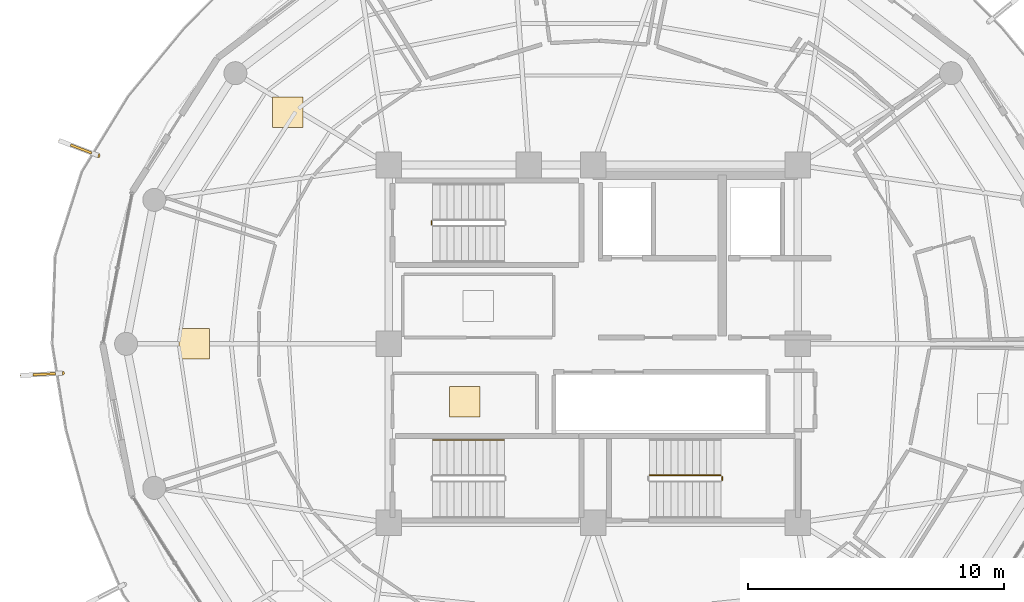
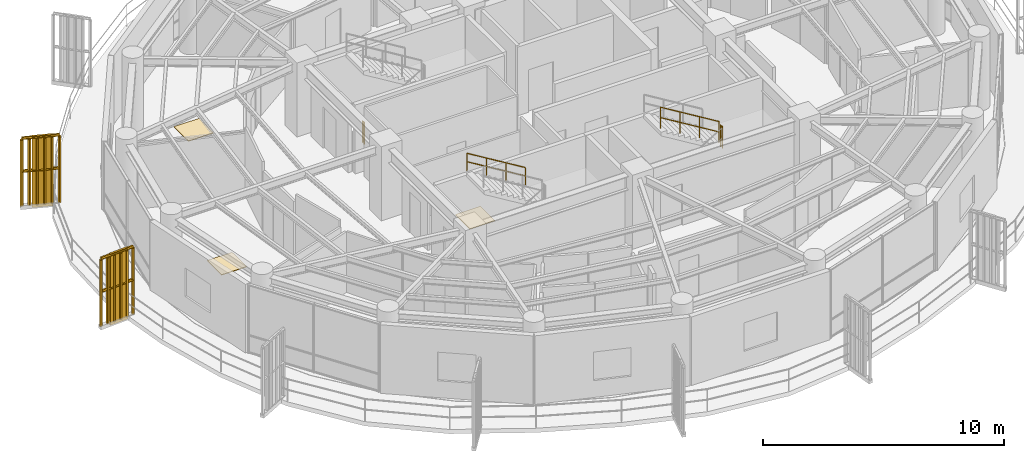
# One storey, part 21 of 23: 6 railings, 3 coverings, 2 shading devices.
"""IFC4 building model written with IfcOpenShell, lengths in metres."""

from ifc_helpers import new_model, si_unit, direction, frame, origin, origin_2d, place, context, subcontext, project, spatial, polyline, rectangle, outline, extrude, source, transform, mapped, material, layer, layer_set, type_object, element, save


model = new_model("IFC4")

# Units and contexts
model_context = context("Model", 3, precision=1e-05, world=origin(), true_north=direction((0.0, 1.0)))
body_context = subcontext(model_context, "Body", "Model", "MODEL_VIEW")
ifc_project = project(units=[si_unit("LENGTHUNIT", "METRE"), si_unit("AREAUNIT", "SQUARE_METRE"), si_unit("VOLUMEUNIT", "CUBIC_METRE"), si_unit("PLANEANGLEUNIT", "RADIAN"), si_unit("MASSUNIT", "GRAM", prefix="KILO")], contexts=[model_context])

# Site, building, storey
site_placement = place(None, origin())
site = spatial("IfcSite", under=ifc_project, at=site_placement, CompositionType="ELEMENT")
building_placement = place(site_placement, origin())
building = spatial("IfcBuilding", under=site, at=building_placement, Name="Kelanora Arch Commons", CompositionType="ELEMENT")
storey_placement = place(building_placement, frame((0.0, 0.0, 256.199951171875)))
storey = spatial("IfcBuildingStorey", under=building, at=storey_placement, Name="L65", CompositionType="ELEMENT", Elevation=256.199951171875)

# Railings
ifc_material_1 = material(Name="Anodised bronze vertical shading fin rib assembly")
railing_type_1 = type_object("IfcRailingType", Name="RAIL-FIN-BRZ", PredefinedType="BALUSTRADE", material=ifc_material_1)
railing_1_placement = place(storey_placement, frame((54.6298828125, 65.372314453125, -0.02001953125)))
element("IfcRailing", 1, at=railing_1_placement, inside=storey, type_object=railing_type_1, Name="Sweeping Bronze Vertical Fin Blade L65-08", PredefinedType="BALUSTRADE", context=body_context, shape_type="SweptSolid", body=[
    extrude(outline(polyline([(0.06982421875, 0.0), (0.034912109375, 0.060546875), (-0.034912109375, 0.060546875), (-0.06982421875, 0.0), (-0.034912109375, -0.060546875), (0.034912109375, -0.060546875), (0.06982421875, 0.0)])), frame((0.0, 0.0, 3.419921875), z_axis=(-0.934599704266, 0.355701269025, 0.0), x_axis=(-0.355701269025, -0.934599704266, 0.0)), (0.0, 0.0, 1.0), 1.588134765625),
    extrude(outline(polyline([(0.06982421875, 0.0), (0.034912109375, 0.060546875), (-0.034912109375, 0.060546875), (-0.06982421875, 0.0), (-0.034912109375, -0.060546875), (0.034912109375, -0.060546875), (0.06982421875, 0.0)])), frame((0.0, 0.0, 1.7451171875), z_axis=(-0.934599704266, 0.355701269025, 0.0), x_axis=(-0.355701269025, -0.934599704266, 0.0)), (0.0, 0.0, 1.0), 1.588134765625),
    extrude(outline(polyline([(0.080078125, 0.0), (0.0400390625, 0.0693359375), (-0.0400390625, 0.0693359375), (-0.080078125, 0.0), (-0.0400390625, -0.0693359375), (0.0400390625, -0.0693359375), (0.080078125, 0.0)])), origin(), (0.0, 0.0, 1.0), 3.35009765625),
    extrude(outline(polyline([(0.080078125, 0.0), (0.0400390625, 0.0693359375), (-0.0400390625, 0.0693359375), (-0.080078125, 0.0), (-0.0400390625, -0.0693359375), (0.0400390625, -0.0693359375), (0.080078125, 0.0)])), frame((-0.296875, 0.113037109375, 0.0)), (0.0, 0.0, 1.0), 3.35009765625),
    extrude(outline(polyline([(0.080078125, 0.0), (0.0400390625, 0.0693359375), (-0.0400390625, 0.0693359375), (-0.080078125, 0.0), (-0.0400390625, -0.0693359375), (0.0400390625, -0.0693359375), (0.080078125, 0.0)])), frame((-0.59375, 0.22607421875, 0.0)), (0.0, 0.0, 1.0), 3.35009765625),
    extrude(outline(polyline([(0.080078125, 0.0), (0.0400390625, 0.0693359375), (-0.0400390625, 0.0693359375), (-0.080078125, 0.0), (-0.0400390625, -0.0693359375), (0.0400390625, -0.0693359375), (0.080078125, 0.0)])), frame((-0.890625, 0.3388671875, 0.0)), (0.0, 0.0, 1.0), 3.35009765625),
    extrude(outline(polyline([(0.080078125, 0.0), (0.0400390625, 0.0693359375), (-0.0400390625, 0.0693359375), (-0.080078125, 0.0), (-0.0400390625, -0.0693359375), (0.0400390625, -0.0693359375), (0.080078125, 0.0)])), frame((-1.1875, 0.451904296875, 0.0)), (0.0, 0.0, 1.0), 3.35009765625),
    extrude(outline(polyline([(0.080078125, 0.0), (0.0400390625, 0.0693359375), (-0.0400390625, 0.0693359375), (-0.080078125, 0.0), (-0.0400390625, -0.0693359375), (0.0400390625, -0.0693359375), (0.080078125, 0.0)])), frame((-1.484375, 0.56494140625, 0.0)), (0.0, 0.0, 1.0), 3.35009765625),
])
railing_2_placement = place(storey_placement, frame((53.233154296875, 56.852294921875, -0.02001953125)))
element("IfcRailing", 2, at=railing_2_placement, inside=storey, type_object=railing_type_1, Name="Sweeping Bronze Vertical Fin Blade L65-09", PredefinedType="BALUSTRADE", context=body_context, shape_type="SweptSolid", body=[
    extrude(outline(polyline([(0.06982421875, 0.0), (0.034912109375, 0.060546875), (-0.034912109375, 0.060546875), (-0.06982421875, 0.0), (-0.034912109375, -0.060546875), (0.034912109375, -0.060546875), (0.06982421875, 0.0)])), frame((0.0, 0.0, 3.419921875), z_axis=(-0.998484848295, -0.055027336159, 0.0), x_axis=(0.055027336159, -0.998484848295, 0.0)), (0.0, 0.0, 1.0), 1.58837890625),
    extrude(outline(polyline([(0.06982421875, 0.0), (0.034912109375, 0.060546875), (-0.034912109375, 0.060546875), (-0.06982421875, 0.0), (-0.034912109375, -0.060546875), (0.034912109375, -0.060546875), (0.06982421875, 0.0)])), frame((0.0, 0.0, 1.7451171875), z_axis=(-0.998484848295, -0.055027336159, 0.0), x_axis=(0.055027336159, -0.998484848295, 0.0)), (0.0, 0.0, 1.0), 1.58837890625),
    extrude(outline(polyline([(0.080078125, 0.0), (0.0400390625, 0.0693359375), (-0.0400390625, 0.0693359375), (-0.080078125, 0.0), (-0.0400390625, -0.0693359375), (0.0400390625, -0.0693359375), (0.080078125, 0.0)])), origin(), (0.0, 0.0, 1.0), 3.35009765625),
    extrude(outline(polyline([(0.080078125, 0.0), (0.0400390625, 0.0693359375), (-0.0400390625, 0.0693359375), (-0.080078125, 0.0), (-0.0400390625, -0.0693359375), (0.0400390625, -0.0693359375), (0.080078125, 0.0)])), frame((-0.317138671875, -0.017578125, 0.0)), (0.0, 0.0, 1.0), 3.35009765625),
    extrude(outline(polyline([(0.080078125, 0.0), (0.0400390625, 0.0693359375), (-0.0400390625, 0.0693359375), (-0.080078125, 0.0), (-0.0400390625, -0.0693359375), (0.0400390625, -0.0693359375), (0.080078125, 0.0)])), frame((-0.63427734375, -0.034912109375, 0.0)), (0.0, 0.0, 1.0), 3.35009765625),
    extrude(outline(polyline([(0.080078125, 0.0), (0.0400390625, 0.0693359375), (-0.0400390625, 0.0693359375), (-0.080078125, 0.0), (-0.0400390625, -0.0693359375), (0.0400390625, -0.0693359375), (0.080078125, 0.0)])), frame((-0.95166015625, -0.052490234375, 0.0)), (0.0, 0.0, 1.0), 3.35009765625),
    extrude(outline(polyline([(0.080078125, 0.0), (0.0400390625, 0.0693359375), (-0.0400390625, 0.0693359375), (-0.080078125, 0.0), (-0.0400390625, -0.0693359375), (0.0400390625, -0.0693359375), (0.080078125, 0.0)])), frame((-1.268798828125, -0.06982421875, 0.0)), (0.0, 0.0, 1.0), 3.35009765625),
    extrude(outline(polyline([(0.080078125, 0.0), (0.0400390625, 0.0693359375), (-0.0400390625, 0.0693359375), (-0.080078125, 0.0), (-0.0400390625, -0.0693359375), (0.0400390625, -0.0693359375), (0.080078125, 0.0)])), frame((-1.5859375, -0.08740234375, 0.0)), (0.0, 0.0, 1.0), 3.35009765625),
])
ifc_material_2 = material(Name="Painted steel stair well guard", Category="steel")
railing_type_2 = type_object("IfcRailingType", Name="RAIL-STAIR-GRD", PredefinedType="GUARDRAIL", material=ifc_material_2)
for number, where, name in (
    (3, (67.669921875, 62.659912109375, 0.0), "L65 ST-T1 stair guard 4"),
    (4, (79.050048828125, 52.659912109375, 1.875), "L65 ST-T2 stair guard 2"),
):
    element("IfcRailing", number, at=place(storey_placement, frame(where)), inside=storey, type_object=railing_type_2, Name=name, PredefinedType="GUARDRAIL", context=body_context, shape_type="SweptSolid", body=[
        extrude(outline(polyline([(0.02392578125, 0.0), (0.011962890625, 0.020751953125), (-0.011962890625, 0.020751953125), (-0.02392578125, 0.0), (-0.011962890625, -0.020751953125), (0.011962890625, -0.020751953125), (0.02392578125, 0.0)])), frame((0.0, 0.0, 1.076171875), z_axis=(0.0, 1.0, 0.0), x_axis=(-1.0, 0.0, 0.0)), (0.0, 0.0, 1.0), 0.150146484375),
        extrude(outline(polyline([(0.02392578125, 0.0), (0.011962890625, 0.020751953125), (-0.011962890625, 0.020751953125), (-0.02392578125, 0.0), (-0.011962890625, -0.020751953125), (0.011962890625, -0.020751953125), (0.02392578125, 0.0)])), frame((0.0, 0.0, 0.550048828125), z_axis=(0.0, 1.0, 0.0), x_axis=(-1.0, 0.0, 0.0)), (0.0, 0.0, 1.0), 0.150146484375),
        extrude(outline(polyline([(0.02099609375, 0.0), (0.010498046875, 0.01806640625), (-0.010498046875, 0.01806640625), (-0.02099609375, 0.0), (-0.010498046875, -0.01806640625), (0.010498046875, -0.01806640625), (0.02099609375, 0.0)])), origin(), (0.0, 0.0, 1.0), 1.052001953125),
        extrude(outline(polyline([(0.02099609375, 0.0), (0.010498046875, 0.01806640625), (-0.010498046875, 0.01806640625), (-0.02099609375, 0.0), (-0.010498046875, -0.01806640625), (0.010498046875, -0.01806640625), (0.02099609375, 0.0)])), frame((0.0, 0.150146484375, 0.0)), (0.0, 0.0, 1.0), 1.052001953125),
    ])
railing_3_placement = place(storey_placement, frame((79.0, 52.860107421875, 2.04541015625)))
element("IfcRailing", 5, at=railing_3_placement, inside=storey, type_object=railing_type_2, Name="L65 ST-T2 stair guard 3", PredefinedType="GUARDRAIL", context=body_context, shape_type="SweptSolid", body=[
    extrude(outline(polyline([(0.02392578125, 0.0), (0.011962890625, 0.020751953125), (-0.011962890625, 0.020751953125), (-0.02392578125, 0.0), (-0.011962890625, -0.020751953125), (0.011962890625, -0.020751953125), (0.02392578125, 0.0)])), frame((0.0, 0.0, 1.076171875), z_axis=(-0.854169791009, 0.0, 0.51999420009), x_axis=(0.0, -1.0, 0.0)), (0.0, 0.0, 1.0), 3.278076171875),
    extrude(outline(polyline([(0.02392578125, 0.0), (0.011962890625, 0.020751953125), (-0.011962890625, 0.020751953125), (-0.02392578125, 0.0), (-0.011962890625, -0.020751953125), (0.011962890625, -0.020751953125), (0.02392578125, 0.0)])), frame((0.0, 0.0, 0.550048828125), z_axis=(-0.854169791009, 0.0, 0.51999420009), x_axis=(0.0, -1.0, 0.0)), (0.0, 0.0, 1.0), 3.278076171875),
    extrude(outline(polyline([(0.02099609375, 0.0), (0.010498046875, 0.01806640625), (-0.010498046875, 0.01806640625), (-0.02099609375, 0.0), (-0.010498046875, -0.01806640625), (0.010498046875, -0.01806640625), (0.02099609375, 0.0)])), origin(), (0.0, 0.0, 1.0), 1.052001953125),
    extrude(outline(polyline([(0.02099609375, 0.0), (0.010498046875, 0.01806640625), (-0.010498046875, 0.01806640625), (-0.02099609375, 0.0), (-0.010498046875, -0.01806640625), (0.010498046875, -0.01806640625), (0.02099609375, 0.0)])), frame((-0.933349609375, 0.0, 0.568115234375)), (0.0, 0.0, 1.0), 1.052001953125),
    extrude(outline(polyline([(0.02099609375, 0.0), (0.010498046875, 0.01806640625), (-0.010498046875, 0.01806640625), (-0.02099609375, 0.0), (-0.010498046875, -0.01806640625), (0.010498046875, -0.01806640625), (0.02099609375, 0.0)])), frame((-1.86669921875, 0.0, 1.136474609375)), (0.0, 0.0, 1.0), 1.052001953125),
    extrude(outline(polyline([(0.02099609375, 0.0), (0.010498046875, 0.01806640625), (-0.010498046875, 0.01806640625), (-0.02099609375, 0.0), (-0.010498046875, -0.01806640625), (0.010498046875, -0.01806640625), (0.02099609375, 0.0)])), frame((-2.800048828125, 0.0, 1.70458984375)), (0.0, 0.0, 1.0), 1.052001953125),
])
ifc_material_3 = material(Name="Brushed stainless steel stair handrail", Category="steel")
railing_type_3 = type_object("IfcRailingType", Name="RAIL-STAIR-HND", PredefinedType="HANDRAIL", material=ifc_material_3)
railing_4_placement = place(storey_placement, frame((70.52001953125, 54.239990234375, 2.04541015625)))
element("IfcRailing", 6, at=railing_4_placement, inside=storey, type_object=railing_type_3, Name="L65 ST-T3 stair handrail 2", PredefinedType="HANDRAIL", context=body_context, shape_type="SweptSolid", body=[
    extrude(outline(polyline([(0.02392578125, 0.0), (0.011962890625, 0.020751953125), (-0.011962890625, 0.020751953125), (-0.02392578125, 0.0), (-0.011962890625, -0.020751953125), (0.011962890625, -0.020751953125), (0.02392578125, 0.0)])), frame((0.0, 0.0, 0.8759765625), z_axis=(-0.854169791009, 0.0, 0.51999420009), x_axis=(0.0, -1.0, 0.0)), (0.0, 0.0, 1.0), 3.278076171875),
    extrude(outline(polyline([(0.02392578125, 0.0), (0.011962890625, 0.020751953125), (-0.011962890625, 0.020751953125), (-0.02392578125, 0.0), (-0.011962890625, -0.020751953125), (0.011962890625, -0.020751953125), (0.02392578125, 0.0)])), frame((0.0, 0.0, 0.449951171875), z_axis=(-0.854169791009, 0.0, 0.51999420009), x_axis=(0.0, -1.0, 0.0)), (0.0, 0.0, 1.0), 3.278076171875),
    extrude(outline(polyline([(0.02099609375, 0.0), (0.010498046875, 0.01806640625), (-0.010498046875, 0.01806640625), (-0.02099609375, 0.0), (-0.010498046875, -0.01806640625), (0.010498046875, -0.01806640625), (0.02099609375, 0.0)])), origin(), (0.0, 0.0, 1.0), 0.851806640625),
    extrude(outline(polyline([(0.02099609375, 0.0), (0.010498046875, 0.01806640625), (-0.010498046875, 0.01806640625), (-0.02099609375, 0.0), (-0.010498046875, -0.01806640625), (0.010498046875, -0.01806640625), (0.02099609375, 0.0)])), frame((-0.933349609375, 0.0, 0.568115234375)), (0.0, 0.0, 1.0), 0.851806640625),
    extrude(outline(polyline([(0.02099609375, 0.0), (0.010498046875, 0.01806640625), (-0.010498046875, 0.01806640625), (-0.02099609375, 0.0), (-0.010498046875, -0.01806640625), (0.010498046875, -0.01806640625), (0.02099609375, 0.0)])), frame((-1.86669921875, 0.0, 1.136474609375)), (0.0, 0.0, 1.0), 0.851806640625),
    extrude(outline(polyline([(0.02099609375, 0.0), (0.010498046875, 0.01806640625), (-0.010498046875, 0.01806640625), (-0.02099609375, 0.0), (-0.010498046875, -0.01806640625), (0.010498046875, -0.01806640625), (0.02099609375, 0.0)])), frame((-2.800048828125, 0.0, 1.70458984375)), (0.0, 0.0, 1.0), 0.851806640625),
])

# Shading devices
ifc_material_4 = material(Name="Terracotta ceramic-clad extruded aluminium fin", Category="masonry")
shading_device_type = type_object("IfcShadingDeviceType", Name="SHD-FIN-FLARE", PredefinedType="USERDEFINED", material=ifc_material_4)
shared_shape_1 = source(origin(), body_context, "Body", "SweptSolid", [
    extrude(rectangle(XDim=0.8798828125, YDim=0.090087890625, at=origin_2d()), origin(), (0.0, 0.0, 1.0), 3.610107421875),
])
for number, where, z_axis, x_axis, name in (
    (7, (53.95703125, 65.62841796875, -0.14013671875), (0.0, 0.0, 1.0), (-0.934577537177, 0.355759507257, 0.0), "Sweeping Terracotta Fin L65-08"),
    (8, (52.51416015625, 56.812744140625, -0.14013671875), (0.0, 0.0, 1.0), (-0.998479491627, -0.055124448298, 0.0), "Sweeping Terracotta Fin L65-09"),
):
    element("IfcShadingDevice", number, at=place(storey_placement, frame(where, z_axis=z_axis, x_axis=x_axis)), inside=storey, type_object=shading_device_type, Name=name, ObjectType="FIN", PredefinedType="USERDEFINED", context=body_context, shape_type="MappedRepresentation", body=[
        mapped(shared_shape_1, transform((0.0, 0.0, 0.0), scale=1.0)),
    ])

# Coverings
ifc_material_5 = material(Name="Polished local granite terrazzo flooring", Category="masonry")
ifc_layer = layer(ifc_material_5, 0.030029296875)
ifc_layer_set = layer_set([ifc_layer], Name="Polished local granite terrazzo flooring")
covering_type = type_object("IfcCoveringType", Name="COV-FLR-TER", PredefinedType="FLOORING", material=ifc_layer_set)
shared_shape_2 = source(origin(), body_context, "Body", "SweptSolid", [
    extrude(rectangle(XDim=1.199951171875, YDim=1.199951171875, at=origin_2d()), origin(), (0.0, 0.0, 1.0), 0.030029296875),
])
for number, where, z_axis, x_axis, name in (
    (9, (68.97509765625, 55.735107421875, 0.0), (0.0, 0.0, 1.0), (1.0, 0.0, 0.0), "Reclaimed Core High-Zone Pantry and Copy Room L65 Terrazzo Finish"),
    (10, (62.040771484375, 67.069580078125, 0.0), (0.0, 0.0, 1.0), (1.0, 0.0, 0.0), "Communal Dining and Social Hall L65-04 Terrazzo Finish"),
    (11, (58.388427734375, 58.0, 0.0), (0.0, 0.0, 1.0), (1.0, 0.0, 0.0), "Social Sky Lounge L65-05 Terrazzo Finish"),
):
    element("IfcCovering", number, at=place(storey_placement, frame(where, z_axis=z_axis, x_axis=x_axis)), inside=storey, type_object=covering_type, Name=name, PredefinedType="FLOORING", context=body_context, shape_type="MappedRepresentation", body=[
        mapped(shared_shape_2, transform((0.0, 0.0, 0.0), scale=1.0)),
    ])

save(model, "model.ifc")
